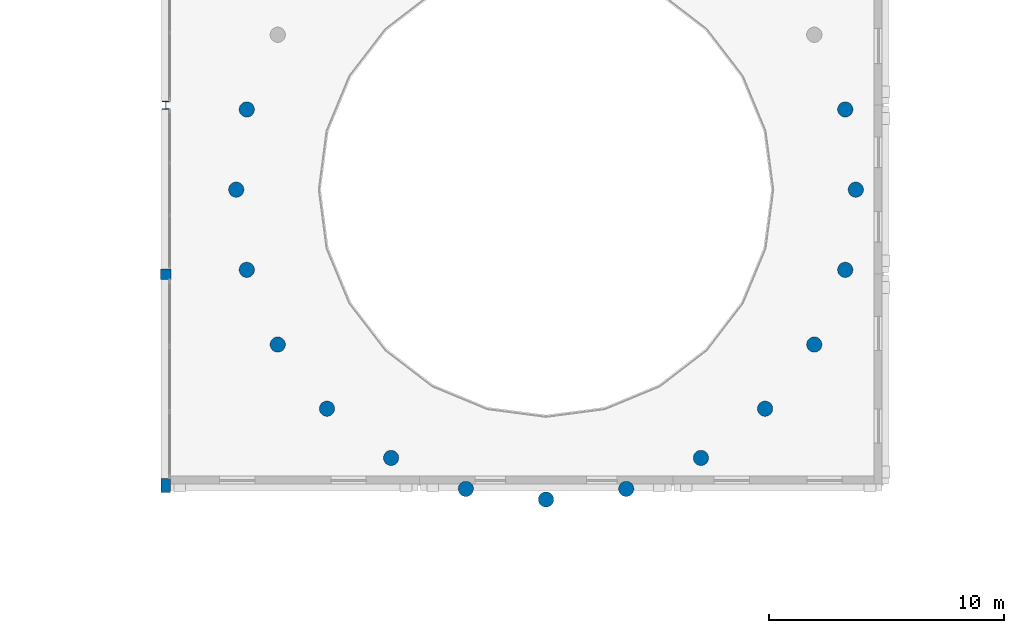
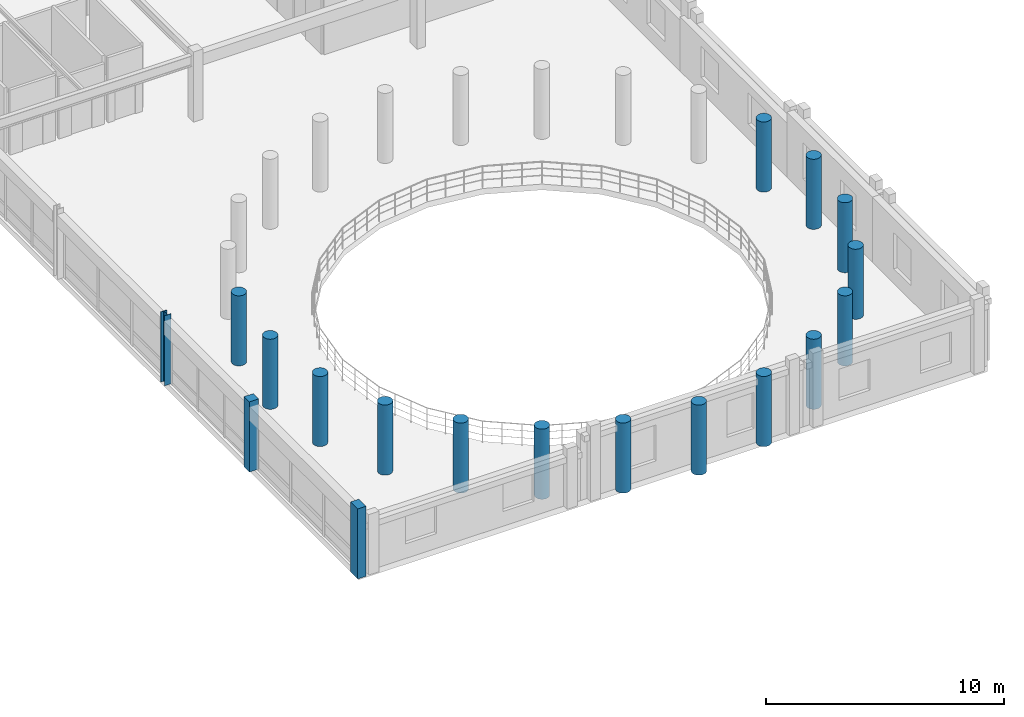
# One storey, part 2 of 52: 18 columns.
"""IFC4 building model written with IfcOpenShell, lengths in metres."""

from ifc_helpers import new_model, si_unit, direction, frame, origin, origin_2d, place, context, subcontext, project, spatial, rectangle, circle, i_section, extrude, material, material_profile, profile_set, type_object, element, save


model = new_model("IFC4")

# Units and contexts
model_context = context("Model", 3, precision=1e-05, world=origin(), true_north=direction((0.0, 1.0)))
body_context = subcontext(model_context, "Body", "Model", "MODEL_VIEW")
ifc_project = project(units=[si_unit("LENGTHUNIT", "METRE"), si_unit("AREAUNIT", "SQUARE_METRE"), si_unit("VOLUMEUNIT", "CUBIC_METRE"), si_unit("PLANEANGLEUNIT", "RADIAN"), si_unit("MASSUNIT", "GRAM", prefix="KILO")], contexts=[model_context])

# Site, building, storey
site_placement = place(None, origin())
site = spatial("IfcSite", under=ifc_project, at=site_placement, CompositionType="ELEMENT")
building_placement = place(site_placement, origin())
building = spatial("IfcBuilding", under=site, at=building_placement, Name="Clarverna Civic Hall", CompositionType="ELEMENT")
storey_placement = place(building_placement, frame((0.0, 0.0, 16.800048828125)))
storey = spatial("IfcBuildingStorey", under=building, at=storey_placement, Name="L04", CompositionType="ELEMENT", Elevation=16.800048828125)

# Columns
ifc_material_1 = material(Name="Concrete C35/45", Category="concrete")
ifc_material_profile_1 = material_profile(ifc_material_1, circle(Radius=0.324951171875, at=origin_2d()), Name="RC D650")
ifc_profile_set_1 = profile_set([ifc_material_profile_1], Name="Concrete C35/45")
column_type_1 = type_object("IfcColumnType", Name="C-DR4", PredefinedType="COLUMN", material=ifc_profile_set_1)
for number, where, z_axis, x_axis, name in (
    (1, (96.0, 59.0, 0.0), (0.0, 0.0, 1.0), (1.0, 0.0, 0.0), "C-DR4-001"),
    (2, (95.55029296875, 62.41650390625, 0.0), (0.0, 0.0, 1.0), (1.0, 0.0, 0.0), "C-DR4-002"),
    (3, (70.0498046875, 62.41650390625, 0.0), (0.0, 0.0, 1.0), (1.0, 0.0, 0.0), "C-DR4-012"),
    (4, (69.60009765625, 59.0, 0.0), (0.0, 0.0, 1.0), (1.0, 0.0, 0.0), "C-DR4-013"),
    (5, (70.0498046875, 55.58349609375, 0.0), (0.0, 0.0, 1.0), (1.0, 0.0, 0.0), "C-DR4-014"),
    (6, (71.368408203125, 52.39990234375, 0.0), (0.0, 0.0, 1.0), (1.0, 0.0, 0.0), "C-DR4-015"),
    (7, (73.46630859375, 49.666259765625, 0.0), (0.0, 0.0, 1.0), (1.0, 0.0, 0.0), "C-DR4-016"),
    (8, (76.199951171875, 47.568603515625, 0.0), (0.0, 0.0, 1.0), (1.0, 0.0, 0.0), "C-DR4-017"),
    (9, (79.383544921875, 46.249755859375, 0.0), (0.0, 0.0, 1.0), (1.0, 0.0, 0.0), "C-DR4-018"),
    (10, (82.800048828125, 45.800048828125, 0.0), (0.0, 0.0, 1.0), (1.0, 0.0, 0.0), "C-DR4-019"),
    (11, (86.21630859375, 46.249755859375, 0.0), (0.0, 0.0, 1.0), (1.0, 0.0, 0.0), "C-DR4-020"),
    (12, (89.39990234375, 47.568603515625, 0.0), (0.0, 0.0, 1.0), (1.0, 0.0, 0.0), "C-DR4-021"),
    (13, (92.1337890625, 49.666259765625, 0.0), (0.0, 0.0, 1.0), (1.0, 0.0, 0.0), "C-DR4-022"),
    (14, (94.2314453125, 52.39990234375, 0.0), (0.0, 0.0, 1.0), (1.0, 0.0, 0.0), "C-DR4-023"),
    (15, (95.55029296875, 55.58349609375, 0.0), (0.0, 0.0, 1.0), (1.0, 0.0, 0.0), "C-DR4-024"),
):
    element("IfcColumn", number, at=place(storey_placement, frame(where, z_axis=z_axis, x_axis=x_axis)), inside=storey, type_object=column_type_1, Name=name, PredefinedType="COLUMN", context=body_context, shape_type="SweptSolid", body=[
        extrude(circle(Radius=0.324951171875, at=origin_2d()), origin(), (0.0, 0.0, 1.0), 3.599853515625),
    ])
ifc_material_profile_2 = material_profile(ifc_material_1, rectangle(XDim=0.449951171875, YDim=0.449951171875, at=origin_2d()), Name="RC 450x450")
ifc_profile_set_2 = profile_set([ifc_material_profile_2], Name="Concrete C35/45")
column_type_2 = type_object("IfcColumnType", Name="C-RC13", PredefinedType="COLUMN", material=ifc_profile_set_2)
column_1_placement = place(storey_placement, frame((66.60009765625, 55.39990234375, 0.0), z_axis=(0.0, 0.0, 1.0), x_axis=(1.0, 0.0, 0.0)))
element("IfcColumn", 16, at=column_1_placement, inside=storey, type_object=column_type_2, Name="C-RC13-013", PredefinedType="COLUMN", context=body_context, shape_type="SweptSolid", body=[
    extrude(rectangle(XDim=0.449951171875, YDim=0.449951171875, at=origin_2d()), origin(), (0.0, 0.0, 1.0), 3.599853515625),
])
ifc_material_profile_3 = material_profile(ifc_material_1, rectangle(XDim=0.39990234375, YDim=0.60009765625, at=origin_2d()), Name="RC 400x600")
ifc_profile_set_3 = profile_set([ifc_material_profile_3], Name="Concrete C35/45")
column_type_3 = type_object("IfcColumnType", Name="C-RC19", PredefinedType="COLUMN", material=ifc_profile_set_3)
column_2_placement = place(storey_placement, frame((66.60009765625, 46.39990234375, 0.0), z_axis=(0.0, 0.0, 1.0), x_axis=(1.0, 0.0, 0.0)))
element("IfcColumn", 17, at=column_2_placement, inside=storey, type_object=column_type_3, Name="C-RC19-001", PredefinedType="COLUMN", context=body_context, shape_type="SweptSolid", body=[
    extrude(rectangle(XDim=0.39990234375, YDim=0.60009765625, at=origin_2d()), origin(), (0.0, 0.0, 1.0), 3.599853515625),
])
ifc_material_2 = material(Name="Steel S355", Category="steel")
ifc_material_profile_4 = material_profile(ifc_material_2, i_section(OverallWidth=0.300048828125, OverallDepth=0.340087890625, WebThickness=0.011962890625, FlangeThickness=0.021484375, FilletRadius=0.027099609375, at=origin_2d()), Name="HEB 340")
ifc_profile_set_4 = profile_set([ifc_material_profile_4], Name="Steel S355")
column_type_4 = type_object("IfcColumnType", Name="C-ST5", PredefinedType="COLUMN", material=ifc_profile_set_4)
column_3_placement = place(storey_placement, frame((66.60009765625, 62.60009765625, 0.0), z_axis=(0.0, 0.0, 1.0), x_axis=(1.0, 0.0, 0.0)))
element("IfcColumn", 18, at=column_3_placement, inside=storey, type_object=column_type_4, Name="C-ST5-007", PredefinedType="COLUMN", context=body_context, shape_type="SweptSolid", body=[
    extrude(i_section(OverallWidth=0.300048828125, OverallDepth=0.340087890625, WebThickness=0.011962890625, FlangeThickness=0.021484375, FilletRadius=0.027099609375, at=origin_2d()), origin(), (0.0, 0.0, 1.0), 3.599853515625),
])

save(model, "model.ifc")
